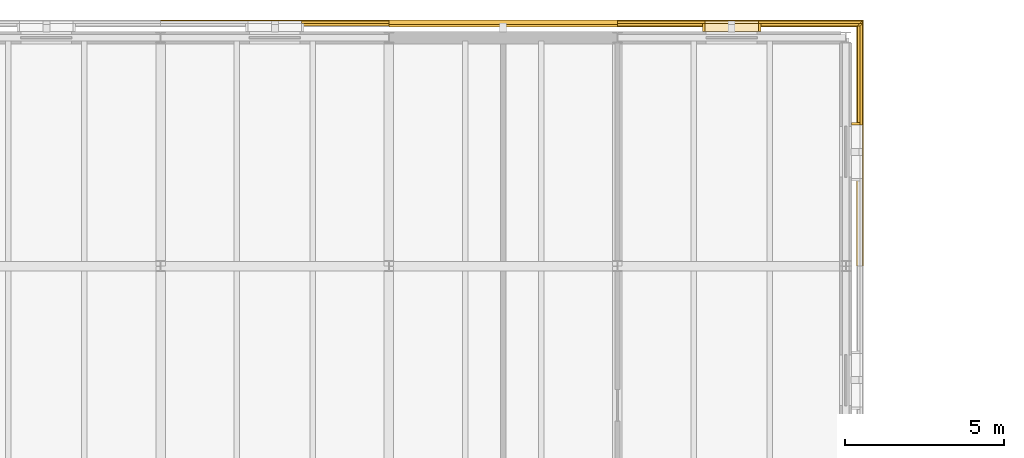
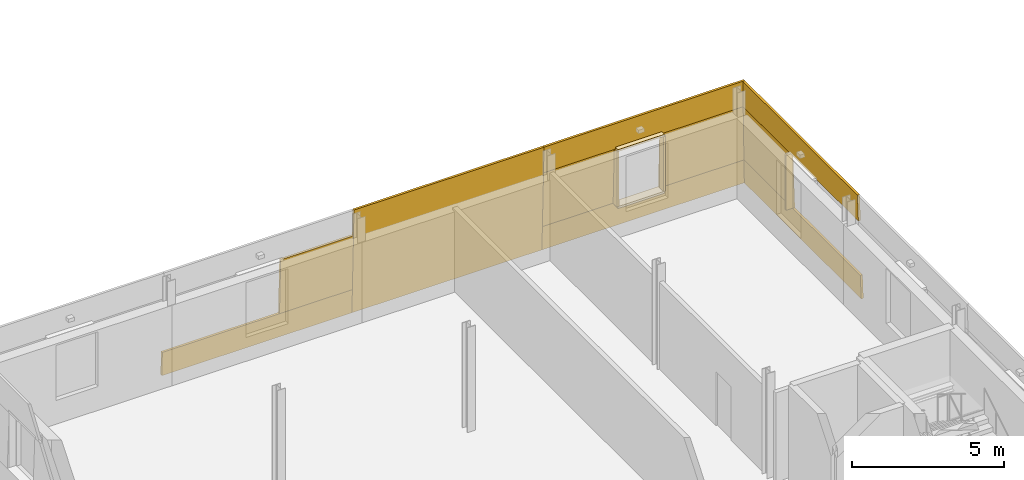
# One storey, part 85 of 91: 15 coverings.
"""IFC4 building model written with IfcOpenShell, lengths in metres."""

from ifc_helpers import new_model, si_unit, direction, frame, origin, place, context, subcontext, project, spatial, polyline, outline, extrude, material, layer, layer_set, type_object, element, save


model = new_model("IFC4")

# Units and contexts
model_context = context("Model", 3, precision=1e-05, world=origin(), true_north=direction((0.0, 1.0)))
body_context = subcontext(model_context, "Body", "Model", "MODEL_VIEW")
ifc_project = project(units=[si_unit("LENGTHUNIT", "METRE"), si_unit("AREAUNIT", "SQUARE_METRE"), si_unit("VOLUMEUNIT", "CUBIC_METRE"), si_unit("PLANEANGLEUNIT", "RADIAN"), si_unit("MASSUNIT", "GRAM", prefix="KILO")], contexts=[model_context])

# Site, building, storey
site_placement = place(None, origin())
site = spatial("IfcSite", under=ifc_project, at=site_placement, CompositionType="ELEMENT")
building_placement = place(site_placement, origin())
building = spatial("IfcBuilding", under=site, at=building_placement, Name="Narikvali Park Central Library", CompositionType="ELEMENT")
storey_placement = place(building_placement, frame((0.0, 0.0, 14.39990234375)))
storey = spatial("IfcBuildingStorey", under=building, at=storey_placement, Name="L03", CompositionType="ELEMENT", Elevation=14.39990234375)

# Coverings
ifc_material = material(Name="White Honed Limestone Cladding", Category="masonry")
ifc_layer_1 = layer(ifc_material, 0.0849609375, Name="White Honed Limestone Cladding")
ifc_layer_set_1 = layer_set([ifc_layer_1], Name="White Honed Limestone Cladding")
covering_type_1 = type_object("IfcCoveringType", Name="Battered White Limestone Facade Cladding Panel", PredefinedType="CLADDING", material=ifc_layer_set_1)
covering_1_placement = place(storey_placement, frame((58.15478515625, 108.0, 0.0), z_axis=(0.999434023877, 0.0, 0.033639737186), x_axis=(0.0, 1.0, 0.0)))
element("IfcCovering", 1, at=covering_1_placement, inside=storey, type_object=covering_type_1, Name="V4 L03 E Battered Limestone Spandrel B08", PredefinedType="CLADDING", context=body_context, shape_type="SweptSolid", body=[
    extrude(outline(polyline([(0.0, 0.0), (7.669921875, 0.0), (7.637939453125, 0.9507334049069504), (0.0, 0.9507334049069504), (0.0, 0.0)])), origin(), (0.0, 0.0, -1.0), 0.0849609375),
])
covering_2_placement = place(storey_placement, frame((58.048828125, 108.0, 3.150146484375), z_axis=(0.999432197748, 0.0, 0.033693947611), x_axis=(0.0, 1.0, 0.0)))
element("IfcCovering", 2, at=covering_2_placement, inside=storey, type_object=covering_type_1, Name="V4 L03 E Battered Limestone Lintel B08", PredefinedType="CLADDING", context=body_context, shape_type="SweptSolid", body=[
    extrude(outline(polyline([(0.0, 0.0), (7.563720703125, 0.0), (7.528564453125, 1.0506453869422778), (0.0, 1.0506453869422778), (0.0, 0.0)])), origin(), (0.0, 0.0, -1.0), 0.0849609375),
])
covering_3_placement = place(storey_placement, frame((58.122802734375, 112.43994140625, 0.9501953125), z_axis=(0.999435139525, 0.0, 0.033606574995), x_axis=(0.0, 1.0, 0.0)))
element("IfcCovering", 3, at=covering_3_placement, inside=storey, type_object=covering_type_1, Name="V4 L03 E Battered Limestone Jamb Pier R B08", PredefinedType="CLADDING", context=body_context, shape_type="SweptSolid", body=[
    extrude(outline(polyline([(0.0, 0.0), (3.197998046875, 0.0), (3.123779296875, 2.201194539668489), (0.0, 2.201194539668489), (0.0, 0.0)])), origin(), (0.0, 0.0, -1.0), 0.0849609375),
])
covering_4_placement = place(storey_placement, frame((58.15478515625, 115.7548828125, 0.0), z_axis=(0.0, 0.999434023877, 0.033639737186), x_axis=(-1.0, 0.0, 0.0)))
element("IfcCovering", 4, at=covering_4_placement, inside=storey, type_object=covering_type_1, Name="V4 L03 N Battered Limestone Spandrel B01", PredefinedType="CLADDING", context=body_context, shape_type="SweptSolid", body=[
    extrude(outline(polyline([(0.0, 0.0), (7.7548828125, 0.0), (7.7548828125, 0.9507334049069504), (0.031982421875, 0.9507334049069504), (0.0, 0.0)])), origin(), (0.0, 0.0, -1.0), 0.0849609375),
])
covering_5_placement = place(storey_placement, frame((58.048828125, 115.648681640625, 3.150146484375), z_axis=(0.0, 0.999439995942, 0.033461836646), x_axis=(-1.0, 0.0, 0.0)))
element("IfcCovering", 5, at=covering_5_placement, inside=storey, type_object=covering_type_1, Name="V4 L03 N Battered Limestone Lintel B01", PredefinedType="CLADDING", context=body_context, shape_type="SweptSolid", body=[
    extrude(outline(polyline([(0.0, 0.0), (7.64892578125, 0.0), (7.64892578125, 1.0506371892145967), (0.035400390625, 1.0506371892145967), (0.0, 0.0)])), origin(), (0.0, 0.0, -1.0), 0.0849609375),
])
covering_6_placement = place(storey_placement, frame((58.122802734375, 115.722900390625, 0.9501953125), z_axis=(0.0, 0.999431408105, 0.033717361898), x_axis=(-1.0, 0.0, 0.0)))
element("IfcCovering", 6, at=covering_6_placement, inside=storey, type_object=covering_type_1, Name="V4 L03 N Battered Limestone Jamb Pier L B01", PredefinedType="CLADDING", context=body_context, shape_type="SweptSolid", body=[
    extrude(outline(polyline([(0.0, 0.0), (3.28271484375, 0.0), (3.28271484375, 2.201202757922529), (0.073974609375, 2.201202757922529), (0.0, 0.0)])), origin(), (0.0, 0.0, -1.0), 0.0849609375),
])
covering_7_placement = place(storey_placement, frame((53.159912109375, 115.722900390625, 0.9501953125), z_axis=(0.0, 0.999431408105, 0.033717361898), x_axis=(-1.0, 0.0, 0.0)))
element("IfcCovering", 7, at=covering_7_placement, inside=storey, type_object=covering_type_1, Name="V4 L03 N Battered Limestone Jamb Pier R B01", PredefinedType="CLADDING", context=body_context, shape_type="SweptSolid", body=[
    extrude(outline(polyline([(0.0, 0.0), (2.760009765625, 0.0), (2.760009765625, 2.2012027579225295), (0.0, 2.2012027579225295), (0.0, 0.0)])), origin(), (0.0, 0.0, -1.0), 0.0849609375),
])
covering_8_placement = place(storey_placement, frame((50.39990234375, 115.7548828125, 0.0), z_axis=(0.0, 0.999434152338, 0.033635920379), x_axis=(-1.0, 0.0, 0.0)))
element("IfcCovering", 8, at=covering_8_placement, inside=storey, type_object=covering_type_1, Name="V4 L03 N Battered Limestone Panel B02", PredefinedType="CLADDING", context=body_context, shape_type="SweptSolid", body=[
    extrude(outline(polyline([(0.0, 0.0), (7.199951171875, 0.0), (7.199951171875, 4.202573328791078), (0.0, 4.202573328791078), (0.0, 0.0)])), origin(), (0.0, 0.0, -1.0), 0.0849609375),
])
covering_9_placement = place(storey_placement, frame((43.199951171875, 115.7548828125, 0.0), z_axis=(0.0, 0.999434023877, 0.033639737186), x_axis=(-1.0, 0.0, 0.0)))
element("IfcCovering", 9, at=covering_9_placement, inside=storey, type_object=covering_type_1, Name="V4 L03 N Battered Limestone Spandrel B03", PredefinedType="CLADDING", context=body_context, shape_type="SweptSolid", body=[
    extrude(outline(polyline([(0.0, 0.0), (7.199951171875, 0.0), (7.199951171875, 0.9507334049069504), (0.0, 0.9507334049069504), (0.0, 0.0)])), origin(), (0.0, 0.0, -1.0), 0.0849609375),
])
covering_10_placement = place(storey_placement, frame((43.199951171875, 115.722900390625, 0.9501953125), z_axis=(0.0, 0.999431408105, 0.033717361898), x_axis=(-1.0, 0.0, 0.0)))
element("IfcCovering", 10, at=covering_10_placement, inside=storey, type_object=covering_type_1, Name="V4 L03 N Battered Limestone Jamb Pier L B03", PredefinedType="CLADDING", context=body_context, shape_type="SweptSolid", body=[
    extrude(outline(polyline([(0.0, 0.0), (2.760009765625, 0.0), (2.760009765625, 2.2012027579225295), (0.0, 2.2012027579225295), (0.0, 0.0)])), origin(), (0.0, 0.0, -1.0), 0.0849609375),
])
ifc_layer_2 = layer(ifc_material, 0.080078125, Name="White Honed Limestone Cladding")
ifc_layer_set_2 = layer_set([ifc_layer_2], Name="White Honed Limestone Cladding")
covering_type_2 = type_object("IfcCoveringType", Name="Deep Carved White Limestone Window Reveal", PredefinedType="CLADDING", material=ifc_layer_set_2)
covering_11_placement = place(storey_placement, frame((0.0, 0.0, 0.9501953125)))
element("IfcCovering", 11, at=covering_11_placement, inside=storey, type_object=covering_type_2, Name="Deep Stone Reveal Jamb R V4-RVL-L03-E-B08", PredefinedType="CLADDING", context=body_context, shape_type="SweptSolid", body=[
    extrude(outline(polyline([(57.784912109375, 112.43994140625), (57.784912109375, 112.52001953125), (58.048828125, 112.52001953125), (58.048828125, 112.43994140625), (57.784912109375, 112.43994140625)])), origin(), (0.0, 0.0, 1.0), 2.199951171875),
])
covering_12_placement = place(storey_placement, frame((0.0, 0.0, 3.150146484375)))
element("IfcCovering", 12, at=covering_12_placement, inside=storey, type_object=covering_type_2, Name="Deep Stone Reveal Head V4-RVL-L03-N-B01", PredefinedType="CLADDING", context=body_context, shape_type="SweptSolid", body=[
    extrude(outline(polyline([(54.8798828125, 115.385009765625), (53.1201171875, 115.385009765625), (53.1201171875, 115.648681640625), (54.8798828125, 115.648681640625), (54.8798828125, 115.385009765625)])), origin(), (0.0, 0.0, 1.0), 0.079833984375),
])
covering_13_placement = place(storey_placement, frame((0.0, 0.0, 0.8701171875)))
element("IfcCovering", 13, at=covering_13_placement, inside=storey, type_object=covering_type_2, Name="Deep Stone Reveal Sill V4-RVL-L03-N-B01", PredefinedType="CLADDING", context=body_context, shape_type="SweptSolid", body=[
    extrude(outline(polyline([(54.8798828125, 115.385009765625), (53.1201171875, 115.385009765625), (53.1201171875, 115.722900390625), (54.8798828125, 115.722900390625), (54.8798828125, 115.385009765625)])), origin(), (0.0, 0.0, 1.0), 0.080078125),
])
covering_14_placement = place(storey_placement, frame((0.0, 0.0, 0.9501953125)))
element("IfcCovering", 14, at=covering_14_placement, inside=storey, type_object=covering_type_2, Name="Deep Stone Reveal Jamb L V4-RVL-L03-N-B01", PredefinedType="CLADDING", context=body_context, shape_type="SweptSolid", body=[
    extrude(outline(polyline([(54.919921875, 115.385009765625), (54.840087890625, 115.385009765625), (54.840087890625, 115.648681640625), (54.919921875, 115.648681640625), (54.919921875, 115.385009765625)])), origin(), (0.0, 0.0, 1.0), 2.199951171875),
])
covering_15_placement = place(storey_placement, frame((0.0, 0.0, 0.9501953125)))
element("IfcCovering", 15, at=covering_15_placement, inside=storey, type_object=covering_type_2, Name="Deep Stone Reveal Jamb R V4-RVL-L03-N-B01", PredefinedType="CLADDING", context=body_context, shape_type="SweptSolid", body=[
    extrude(outline(polyline([(53.159912109375, 115.385009765625), (53.080078125, 115.385009765625), (53.080078125, 115.648681640625), (53.159912109375, 115.648681640625), (53.159912109375, 115.385009765625)])), origin(), (0.0, 0.0, 1.0), 2.199951171875),
])

save(model, "model.ifc")
